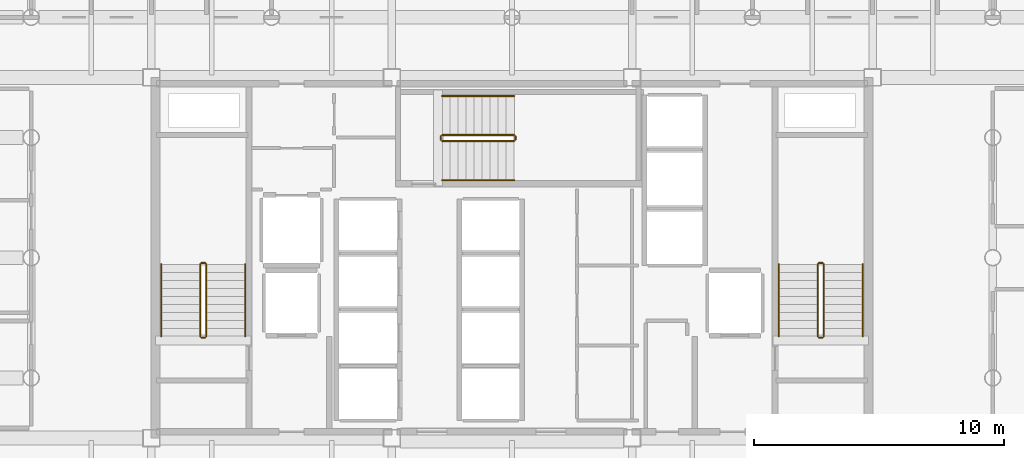
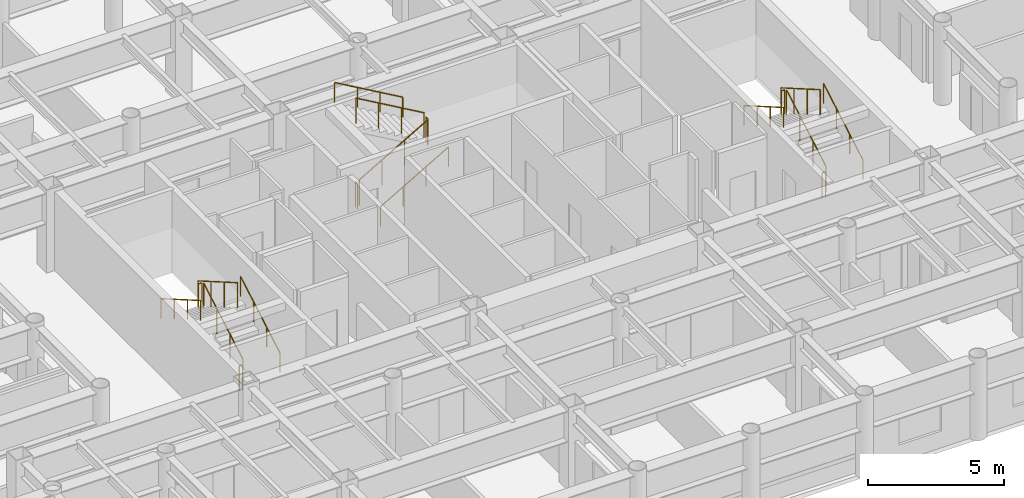
# One storey, part 23 of 23: 18 railings.
"""IFC4 building model written with IfcOpenShell, lengths in metres."""

from ifc_helpers import new_model, si_unit, direction, frame, origin, origin_2d, place, context, subcontext, project, spatial, circle, extrude, material, layer, layer_set, type_object, element, save


model = new_model("IFC4")

# Units and contexts
model_context = context("Model", 3, precision=1e-05, world=origin(), true_north=direction((0.0, 1.0)))
body_context = subcontext(model_context, "Body", "Model", "MODEL_VIEW")
ifc_project = project(units=[si_unit("LENGTHUNIT", "METRE"), si_unit("AREAUNIT", "SQUARE_METRE"), si_unit("VOLUMEUNIT", "CUBIC_METRE"), si_unit("PLANEANGLEUNIT", "RADIAN"), si_unit("MASSUNIT", "GRAM", prefix="KILO")], contexts=[model_context])

# Site, building, storey
site_placement = place(None, origin())
site = spatial("IfcSite", under=ifc_project, at=site_placement, CompositionType="ELEMENT")
building_placement = place(site_placement, origin())
building = spatial("IfcBuilding", under=site, at=building_placement, Name="Kallvorn Hotel Tower", CompositionType="ELEMENT")
storey_placement = place(building_placement, frame((0.0, 0.0, 121.10009765625)))
storey = spatial("IfcBuildingStorey", under=building, at=storey_placement, Name="L29", CompositionType="ELEMENT", Elevation=121.10009765625)

# Railings
ifc_material_1 = material(Name="Brushed stainless-steel tubular railing", Category="steel")
ifc_layer_1 = layer(ifc_material_1, 0.050048828125)
ifc_layer_set_1 = layer_set([ifc_layer_1], Name="RL_STAIR_GUARD")
railing_type_1 = type_object("IfcRailingType", Name="RL_STAIR_GUARD", PredefinedType="GUARDRAIL", material=ifc_layer_set_1)
railing_1_placement = place(storey_placement, frame((-12.2099609375, -3.139892578125, 0.184814453125)))
element("IfcRailing", 1, at=railing_1_placement, inside=storey, type_object=railing_type_1, Name="L29 ST1 stair guard 1", PredefinedType="GUARDRAIL", context=body_context, shape_type="SweptSolid", body=[
    extrude(circle(Radius=0.02392578125, at=origin_2d()), frame((0.0, 0.0, 1.1259765625), z_axis=(0.0, 0.865720918037, 0.500527014328), x_axis=(-1.0, 0.0, 0.0)), (0.0, 0.0, 1.0), 3.32666015625),
    extrude(circle(Radius=0.02099609375, at=origin_2d()), origin(), (0.0, 0.0, 1.0), 1.101806640625),
    extrude(circle(Radius=0.02099609375, at=origin_2d()), frame((0.0, 0.9599609375, 0.554931640625)), (0.0, 0.0, 1.0), 1.101806640625),
    extrude(circle(Radius=0.02099609375, at=origin_2d()), frame((0.0, 1.919921875, 1.110107421875)), (0.0, 0.0, 1.0), 1.101806640625),
    extrude(circle(Radius=0.02099609375, at=origin_2d()), frame((0.0, 2.8798828125, 1.6650390625)), (0.0, 0.0, 1.0), 1.101806640625),
])
railing_2_placement = place(storey_placement, frame((-12.260009765625, -0.2099609375, 1.849853515625)))
element("IfcRailing", 2, at=railing_2_placement, inside=storey, type_object=railing_type_1, Name="L29 ST1 stair guard 2", PredefinedType="GUARDRAIL", context=body_context, shape_type="SweptSolid", body=[
    extrude(circle(Radius=0.02392578125, at=origin_2d()), frame((0.0, 0.0, 1.1259765625), z_axis=(-1.0, 0.0, 0.0), x_axis=(0.0, -1.0, 0.0)), (0.0, 0.0, 1.0), 0.139892578125),
    extrude(circle(Radius=0.02099609375, at=origin_2d()), origin(), (0.0, 0.0, 1.0), 1.101806640625),
    extrude(circle(Radius=0.02099609375, at=origin_2d()), frame((-0.139892578125, 0.0, 0.0)), (0.0, 0.0, 1.0), 1.101806640625),
])
railing_3_placement = place(storey_placement, frame((-12.449951171875, -0.260009765625, 2.034912109375)))
element("IfcRailing", 3, at=railing_3_placement, inside=storey, type_object=railing_type_1, Name="L29 ST1 stair guard 3", PredefinedType="GUARDRAIL", context=body_context, shape_type="SweptSolid", body=[
    extrude(circle(Radius=0.02392578125, at=origin_2d()), frame((0.0, 0.0, 1.1259765625), z_axis=(0.0, -0.865720918037, 0.500527014328), x_axis=(1.0, 0.0, 0.0)), (0.0, 0.0, 1.0), 3.32666015625),
    extrude(circle(Radius=0.02099609375, at=origin_2d()), origin(), (0.0, 0.0, 1.0), 1.101806640625),
    extrude(circle(Radius=0.02099609375, at=origin_2d()), frame((0.0, -0.9599609375, 0.554931640625)), (0.0, 0.0, 1.0), 1.101806640625),
    extrude(circle(Radius=0.02099609375, at=origin_2d()), frame((0.0, -1.919921875, 1.110107421875)), (0.0, 0.0, 1.0), 1.101806640625),
    extrude(circle(Radius=0.02099609375, at=origin_2d()), frame((0.0, -2.8798828125, 1.6650390625)), (0.0, 0.0, 1.0), 1.101806640625),
])
railing_4_placement = place(storey_placement, frame((-12.260009765625, -3.18994140625, 0.0)))
element("IfcRailing", 4, at=railing_4_placement, inside=storey, type_object=railing_type_1, Name="L29 ST1 stair guard 4", PredefinedType="GUARDRAIL", context=body_context, shape_type="SweptSolid", body=[
    extrude(circle(Radius=0.02392578125, at=origin_2d()), frame((0.0, 0.0, 1.1259765625), z_axis=(-1.0, 0.0, 0.0), x_axis=(0.0, -1.0, 0.0)), (0.0, 0.0, 1.0), 0.139892578125),
    extrude(circle(Radius=0.02099609375, at=origin_2d()), origin(), (0.0, 0.0, 1.0), 1.101806640625),
    extrude(circle(Radius=0.02099609375, at=origin_2d()), frame((-0.139892578125, 0.0, 0.0)), (0.0, 0.0, 1.0), 1.101806640625),
])
railing_5_placement = place(storey_placement, frame((12.449951171875, -3.139892578125, 0.184814453125)))
element("IfcRailing", 5, at=railing_5_placement, inside=storey, type_object=railing_type_1, Name="L29 ST2 stair guard 1", PredefinedType="GUARDRAIL", context=body_context, shape_type="SweptSolid", body=[
    extrude(circle(Radius=0.02392578125, at=origin_2d()), frame((0.0, 0.0, 1.1259765625), z_axis=(0.0, 0.865720918037, 0.500527014328), x_axis=(-1.0, 0.0, 0.0)), (0.0, 0.0, 1.0), 3.32666015625),
    extrude(circle(Radius=0.02099609375, at=origin_2d()), origin(), (0.0, 0.0, 1.0), 1.101806640625),
    extrude(circle(Radius=0.02099609375, at=origin_2d()), frame((0.0, 0.9599609375, 0.554931640625)), (0.0, 0.0, 1.0), 1.101806640625),
    extrude(circle(Radius=0.02099609375, at=origin_2d()), frame((0.0, 1.919921875, 1.110107421875)), (0.0, 0.0, 1.0), 1.101806640625),
    extrude(circle(Radius=0.02099609375, at=origin_2d()), frame((0.0, 2.8798828125, 1.6650390625)), (0.0, 0.0, 1.0), 1.101806640625),
])
railing_6_placement = place(storey_placement, frame((12.39990234375, -0.2099609375, 1.849853515625)))
element("IfcRailing", 6, at=railing_6_placement, inside=storey, type_object=railing_type_1, Name="L29 ST2 stair guard 2", PredefinedType="GUARDRAIL", context=body_context, shape_type="SweptSolid", body=[
    extrude(circle(Radius=0.02392578125, at=origin_2d()), frame((0.0, 0.0, 1.1259765625), z_axis=(-1.0, 0.0, 0.0), x_axis=(0.0, -1.0, 0.0)), (0.0, 0.0, 1.0), 0.139892578125),
    extrude(circle(Radius=0.02099609375, at=origin_2d()), origin(), (0.0, 0.0, 1.0), 1.101806640625),
    extrude(circle(Radius=0.02099609375, at=origin_2d()), frame((-0.139892578125, 0.0, 0.0)), (0.0, 0.0, 1.0), 1.101806640625),
])
railing_7_placement = place(storey_placement, frame((12.2099609375, -0.260009765625, 2.034912109375)))
element("IfcRailing", 7, at=railing_7_placement, inside=storey, type_object=railing_type_1, Name="L29 ST2 stair guard 3", PredefinedType="GUARDRAIL", context=body_context, shape_type="SweptSolid", body=[
    extrude(circle(Radius=0.02392578125, at=origin_2d()), frame((0.0, 0.0, 1.1259765625), z_axis=(0.0, -0.865720918037, 0.500527014328), x_axis=(1.0, 0.0, 0.0)), (0.0, 0.0, 1.0), 3.32666015625),
    extrude(circle(Radius=0.02099609375, at=origin_2d()), origin(), (0.0, 0.0, 1.0), 1.101806640625),
    extrude(circle(Radius=0.02099609375, at=origin_2d()), frame((0.0, -0.9599609375, 0.554931640625)), (0.0, 0.0, 1.0), 1.101806640625),
    extrude(circle(Radius=0.02099609375, at=origin_2d()), frame((0.0, -1.919921875, 1.110107421875)), (0.0, 0.0, 1.0), 1.101806640625),
    extrude(circle(Radius=0.02099609375, at=origin_2d()), frame((0.0, -2.8798828125, 1.6650390625)), (0.0, 0.0, 1.0), 1.101806640625),
])
railing_8_placement = place(storey_placement, frame((12.39990234375, -3.18994140625, 0.0)))
element("IfcRailing", 8, at=railing_8_placement, inside=storey, type_object=railing_type_1, Name="L29 ST2 stair guard 4", PredefinedType="GUARDRAIL", context=body_context, shape_type="SweptSolid", body=[
    extrude(circle(Radius=0.02392578125, at=origin_2d()), frame((0.0, 0.0, 1.1259765625), z_axis=(-1.0, 0.0, 0.0), x_axis=(0.0, -1.0, 0.0)), (0.0, 0.0, 1.0), 0.139892578125),
    extrude(circle(Radius=0.02099609375, at=origin_2d()), origin(), (0.0, 0.0, 1.0), 1.101806640625),
    extrude(circle(Radius=0.02099609375, at=origin_2d()), frame((-0.139892578125, 0.0, 0.0)), (0.0, 0.0, 1.0), 1.101806640625),
])
railing_9_placement = place(storey_placement, frame((-2.7900390625, 4.659912109375, 0.184814453125)))
element("IfcRailing", 9, at=railing_9_placement, inside=storey, type_object=railing_type_1, Name="L29 ST3 stair guard 1", PredefinedType="GUARDRAIL", context=body_context, shape_type="SweptSolid", body=[
    extrude(circle(Radius=0.02392578125, at=origin_2d()), frame((0.0, 0.0, 1.1259765625), z_axis=(0.865739302748, 0.0, 0.50049521444), x_axis=(0.0, 1.0, 0.0)), (0.0, 0.0, 1.0), 3.326904296875),
    extrude(circle(Radius=0.02099609375, at=origin_2d()), origin(), (0.0, 0.0, 1.0), 1.101806640625),
    extrude(circle(Radius=0.02099609375, at=origin_2d()), frame((0.9599609375, 0.0, 0.554931640625)), (0.0, 0.0, 1.0), 1.101806640625),
    extrude(circle(Radius=0.02099609375, at=origin_2d()), frame((1.920166015625, 0.0, 1.110107421875)), (0.0, 0.0, 1.0), 1.101806640625),
    extrude(circle(Radius=0.02099609375, at=origin_2d()), frame((2.880126953125, 0.0, 1.6650390625)), (0.0, 0.0, 1.0), 1.101806640625),
])
railing_10_placement = place(storey_placement, frame((0.139892578125, 4.7099609375, 1.849853515625)))
element("IfcRailing", 10, at=railing_10_placement, inside=storey, type_object=railing_type_1, Name="L29 ST3 stair guard 2", PredefinedType="GUARDRAIL", context=body_context, shape_type="SweptSolid", body=[
    extrude(circle(Radius=0.02392578125, at=origin_2d()), frame((0.0, 0.0, 1.1259765625), z_axis=(0.0, 1.0, 0.0), x_axis=(-1.0, 0.0, 0.0)), (0.0, 0.0, 1.0), 0.14013671875),
    extrude(circle(Radius=0.02099609375, at=origin_2d()), origin(), (0.0, 0.0, 1.0), 1.101806640625),
    extrude(circle(Radius=0.02099609375, at=origin_2d()), frame((0.0, 0.14013671875, 0.0)), (0.0, 0.0, 1.0), 1.101806640625),
])
railing_11_placement = place(storey_placement, frame((0.090087890625, 4.89990234375, 2.034912109375)))
element("IfcRailing", 11, at=railing_11_placement, inside=storey, type_object=railing_type_1, Name="L29 ST3 stair guard 3", PredefinedType="GUARDRAIL", context=body_context, shape_type="SweptSolid", body=[
    extrude(circle(Radius=0.02392578125, at=origin_2d()), frame((0.0, 0.0, 1.1259765625), z_axis=(-0.865739302748, 0.0, 0.50049521444), x_axis=(0.0, -1.0, 0.0)), (0.0, 0.0, 1.0), 3.326904296875),
    extrude(circle(Radius=0.02099609375, at=origin_2d()), origin(), (0.0, 0.0, 1.0), 1.101806640625),
    extrude(circle(Radius=0.02099609375, at=origin_2d()), frame((-0.9599609375, 0.0, 0.554931640625)), (0.0, 0.0, 1.0), 1.101806640625),
    extrude(circle(Radius=0.02099609375, at=origin_2d()), frame((-1.920166015625, 0.0, 1.110107421875)), (0.0, 0.0, 1.0), 1.101806640625),
    extrude(circle(Radius=0.02099609375, at=origin_2d()), frame((-2.880126953125, 0.0, 1.6650390625)), (0.0, 0.0, 1.0), 1.101806640625),
])
railing_12_placement = place(storey_placement, frame((-2.840087890625, 4.7099609375, 0.0)))
element("IfcRailing", 12, at=railing_12_placement, inside=storey, type_object=railing_type_1, Name="L29 ST3 stair guard 4", PredefinedType="GUARDRAIL", context=body_context, shape_type="SweptSolid", body=[
    extrude(circle(Radius=0.02392578125, at=origin_2d()), frame((0.0, 0.0, 1.1259765625), z_axis=(0.0, 1.0, 0.0), x_axis=(-1.0, 0.0, 0.0)), (0.0, 0.0, 1.0), 0.14013671875),
    extrude(circle(Radius=0.02099609375, at=origin_2d()), origin(), (0.0, 0.0, 1.0), 1.101806640625),
    extrude(circle(Radius=0.02099609375, at=origin_2d()), frame((0.0, 0.14013671875, 0.0)), (0.0, 0.0, 1.0), 1.101806640625),
])
ifc_material_2 = material(Name="Brushed stainless-steel tubular railing", Category="steel")
ifc_layer_2 = layer(ifc_material_2, 0.050048828125)
ifc_layer_set_2 = layer_set([ifc_layer_2], Name="RL_STAIR_HAND")
railing_type_2 = type_object("IfcRailingType", Name="RL_STAIR_HAND", PredefinedType="HANDRAIL", material=ifc_layer_set_2)
railing_13_placement = place(storey_placement, frame((-10.64990234375, -3.139892578125, 0.184814453125)))
element("IfcRailing", 13, at=railing_13_placement, inside=storey, type_object=railing_type_2, Name="L29 ST1 stair handrail 1", PredefinedType="HANDRAIL", context=body_context, shape_type="SweptSolid", body=[
    extrude(circle(Radius=0.02392578125, at=origin_2d()), frame((0.0, 0.0, 0.8759765625), z_axis=(0.0, 0.865720918037, 0.500527014328), x_axis=(-1.0, 0.0, 0.0)), (0.0, 0.0, 1.0), 3.32666015625),
    extrude(circle(Radius=0.02099609375, at=origin_2d()), origin(), (0.0, 0.0, 1.0), 0.851806640625),
    extrude(circle(Radius=0.02099609375, at=origin_2d()), frame((0.0, 0.9599609375, 0.554931640625)), (0.0, 0.0, 1.0), 0.851806640625),
    extrude(circle(Radius=0.02099609375, at=origin_2d()), frame((0.0, 1.919921875, 1.110107421875)), (0.0, 0.0, 1.0), 0.851806640625),
    extrude(circle(Radius=0.02099609375, at=origin_2d()), frame((0.0, 2.8798828125, 1.6650390625)), (0.0, 0.0, 1.0), 0.851806640625),
])
railing_14_placement = place(storey_placement, frame((-14.010009765625, -0.260009765625, 2.034912109375)))
element("IfcRailing", 14, at=railing_14_placement, inside=storey, type_object=railing_type_2, Name="L29 ST1 stair handrail 2", PredefinedType="HANDRAIL", context=body_context, shape_type="SweptSolid", body=[
    extrude(circle(Radius=0.02392578125, at=origin_2d()), frame((0.0, 0.0, 0.8759765625), z_axis=(0.0, -0.865720918037, 0.500527014328), x_axis=(1.0, 0.0, 0.0)), (0.0, 0.0, 1.0), 3.32666015625),
    extrude(circle(Radius=0.02099609375, at=origin_2d()), origin(), (0.0, 0.0, 1.0), 0.851806640625),
    extrude(circle(Radius=0.02099609375, at=origin_2d()), frame((0.0, -0.9599609375, 0.554931640625)), (0.0, 0.0, 1.0), 0.851806640625),
    extrude(circle(Radius=0.02099609375, at=origin_2d()), frame((0.0, -1.919921875, 1.110107421875)), (0.0, 0.0, 1.0), 0.851806640625),
    extrude(circle(Radius=0.02099609375, at=origin_2d()), frame((0.0, -2.8798828125, 1.6650390625)), (0.0, 0.0, 1.0), 0.851806640625),
])
railing_15_placement = place(storey_placement, frame((14.010009765625, -3.139892578125, 0.184814453125)))
element("IfcRailing", 15, at=railing_15_placement, inside=storey, type_object=railing_type_2, Name="L29 ST2 stair handrail 1", PredefinedType="HANDRAIL", context=body_context, shape_type="SweptSolid", body=[
    extrude(circle(Radius=0.02392578125, at=origin_2d()), frame((0.0, 0.0, 0.8759765625), z_axis=(0.0, 0.865720918037, 0.500527014328), x_axis=(-1.0, 0.0, 0.0)), (0.0, 0.0, 1.0), 3.32666015625),
    extrude(circle(Radius=0.02099609375, at=origin_2d()), origin(), (0.0, 0.0, 1.0), 0.851806640625),
    extrude(circle(Radius=0.02099609375, at=origin_2d()), frame((0.0, 0.9599609375, 0.554931640625)), (0.0, 0.0, 1.0), 0.851806640625),
    extrude(circle(Radius=0.02099609375, at=origin_2d()), frame((0.0, 1.919921875, 1.110107421875)), (0.0, 0.0, 1.0), 0.851806640625),
    extrude(circle(Radius=0.02099609375, at=origin_2d()), frame((0.0, 2.8798828125, 1.6650390625)), (0.0, 0.0, 1.0), 0.851806640625),
])
railing_16_placement = place(storey_placement, frame((10.64990234375, -0.260009765625, 2.034912109375)))
element("IfcRailing", 16, at=railing_16_placement, inside=storey, type_object=railing_type_2, Name="L29 ST2 stair handrail 2", PredefinedType="HANDRAIL", context=body_context, shape_type="SweptSolid", body=[
    extrude(circle(Radius=0.02392578125, at=origin_2d()), frame((0.0, 0.0, 0.8759765625), z_axis=(0.0, -0.865720918037, 0.500527014328), x_axis=(1.0, 0.0, 0.0)), (0.0, 0.0, 1.0), 3.32666015625),
    extrude(circle(Radius=0.02099609375, at=origin_2d()), origin(), (0.0, 0.0, 1.0), 0.851806640625),
    extrude(circle(Radius=0.02099609375, at=origin_2d()), frame((0.0, -0.9599609375, 0.554931640625)), (0.0, 0.0, 1.0), 0.851806640625),
    extrude(circle(Radius=0.02099609375, at=origin_2d()), frame((0.0, -1.919921875, 1.110107421875)), (0.0, 0.0, 1.0), 0.851806640625),
    extrude(circle(Radius=0.02099609375, at=origin_2d()), frame((0.0, -2.8798828125, 1.6650390625)), (0.0, 0.0, 1.0), 0.851806640625),
])
railing_17_placement = place(storey_placement, frame((-2.7900390625, 3.10009765625, 0.184814453125)))
element("IfcRailing", 17, at=railing_17_placement, inside=storey, type_object=railing_type_2, Name="L29 ST3 stair handrail 1", PredefinedType="HANDRAIL", context=body_context, shape_type="SweptSolid", body=[
    extrude(circle(Radius=0.02392578125, at=origin_2d()), frame((0.0, 0.0, 0.8759765625), z_axis=(0.865739302748, 0.0, 0.50049521444), x_axis=(0.0, 1.0, 0.0)), (0.0, 0.0, 1.0), 3.326904296875),
    extrude(circle(Radius=0.02099609375, at=origin_2d()), origin(), (0.0, 0.0, 1.0), 0.851806640625),
    extrude(circle(Radius=0.02099609375, at=origin_2d()), frame((0.9599609375, 0.0, 0.554931640625)), (0.0, 0.0, 1.0), 0.851806640625),
    extrude(circle(Radius=0.02099609375, at=origin_2d()), frame((1.920166015625, 0.0, 1.110107421875)), (0.0, 0.0, 1.0), 0.851806640625),
    extrude(circle(Radius=0.02099609375, at=origin_2d()), frame((2.880126953125, 0.0, 1.6650390625)), (0.0, 0.0, 1.0), 0.851806640625),
])
railing_18_placement = place(storey_placement, frame((0.090087890625, 6.4599609375, 2.034912109375)))
element("IfcRailing", 18, at=railing_18_placement, inside=storey, type_object=railing_type_2, Name="L29 ST3 stair handrail 2", PredefinedType="HANDRAIL", context=body_context, shape_type="SweptSolid", body=[
    extrude(circle(Radius=0.02392578125, at=origin_2d()), frame((0.0, 0.0, 0.8759765625), z_axis=(-0.865739302748, 0.0, 0.50049521444), x_axis=(0.0, -1.0, 0.0)), (0.0, 0.0, 1.0), 3.326904296875),
    extrude(circle(Radius=0.02099609375, at=origin_2d()), origin(), (0.0, 0.0, 1.0), 0.851806640625),
    extrude(circle(Radius=0.02099609375, at=origin_2d()), frame((-0.9599609375, 0.0, 0.554931640625)), (0.0, 0.0, 1.0), 0.851806640625),
    extrude(circle(Radius=0.02099609375, at=origin_2d()), frame((-1.920166015625, 0.0, 1.110107421875)), (0.0, 0.0, 1.0), 0.851806640625),
    extrude(circle(Radius=0.02099609375, at=origin_2d()), frame((-2.880126953125, 0.0, 1.6650390625)), (0.0, 0.0, 1.0), 0.851806640625),
])

save(model, "model.ifc")
